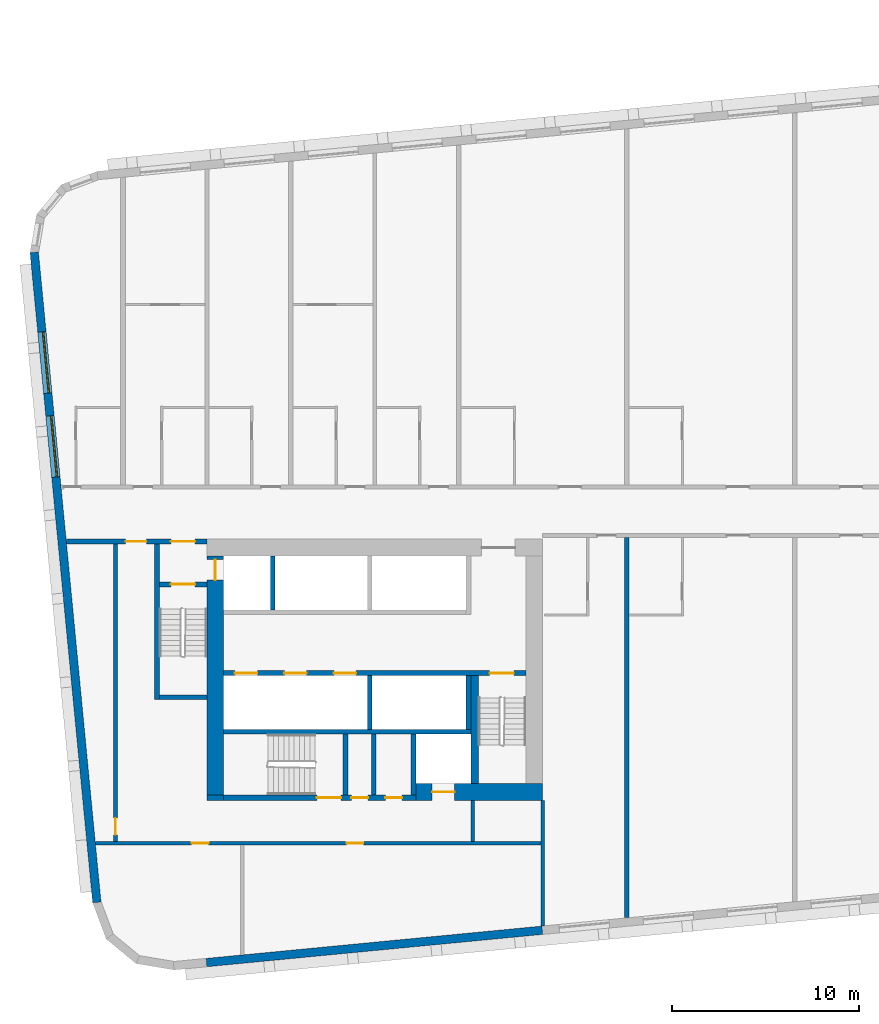
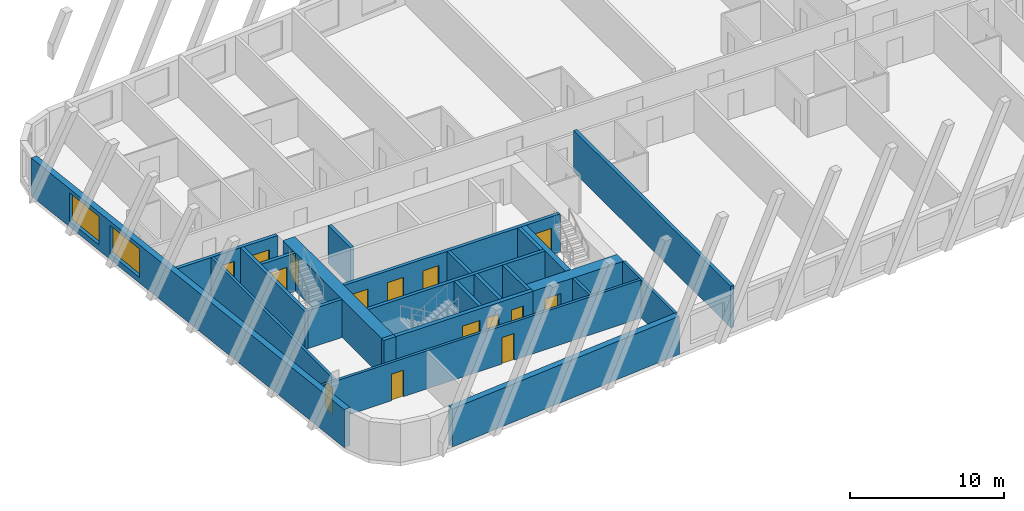
# One storey, part 2 of 13: 24 walls, 15 doors, 2 windows, 17 openings.
"""IFC4 building model written with IfcOpenShell, lengths in metres."""

from ifc_helpers import new_model, si_unit, direction, frame, frame_2d, origin, place, context, subcontext, project, spatial, rectangle, extrude, material, layer, layer_set, type_object, element, fill, save


model = new_model("IFC4")

# Units and contexts
model_context = context("Model", 3, precision=1e-05, world=origin(), true_north=direction((0.0, 1.0)))
body_context = subcontext(model_context, "Body", "Model", "MODEL_VIEW")
ifc_project = project(units=[si_unit("LENGTHUNIT", "METRE"), si_unit("AREAUNIT", "SQUARE_METRE"), si_unit("VOLUMEUNIT", "CUBIC_METRE"), si_unit("PLANEANGLEUNIT", "RADIAN"), si_unit("MASSUNIT", "GRAM", prefix="KILO")], contexts=[model_context])

# Site, building, storey
site_placement = place(None, origin())
site = spatial("IfcSite", under=ifc_project, at=site_placement, CompositionType="ELEMENT")
building_placement = place(site_placement, origin())
building = spatial("IfcBuilding", under=site, at=building_placement, Name="Kajstack Hotel Tower", CompositionType="ELEMENT")
storey_placement = place(building_placement, frame((0.0, 0.0, 120.699951171875)))
storey = spatial("IfcBuildingStorey", under=building, at=storey_placement, Name="L26", CompositionType="ELEMENT", Elevation=120.699951171875)

# Wall, opening, door
ifc_material_1 = material(Name="Concrete C60/75", Category="concrete")
ifc_layer_1 = layer(ifc_material_1, 0.89990234375)
ifc_layer_set_1 = layer_set([ifc_layer_1], Name="Core wall 900")
wall_type_1 = type_object("IfcWallType", Name="Core wall 900", PredefinedType="SHEAR", material=ifc_layer_set_1)
wall_1_placement = place(storey_placement, frame((-20.300048828125, -15.050048828125, 0.0), z_axis=(0.0, 0.0, 1.0), x_axis=(1.0, 0.0, 0.0)))
wall_1 = element("IfcWall", 1, at=wall_1_placement, inside=storey, type_object=wall_type_1, Name="Core wall W RS", PredefinedType="SHEAR", context=body_context, shape_type="SweptSolid", body=[
    extrude(rectangle(XDim=6.800048828125, YDim=0.89990234375, at=frame_2d((3.39990234375, 0.0))), origin(), (0.0, 0.0, 1.0), 3.02001953125),
])
opening_1_placement = place(wall_1_placement, frame((0.875, 0.0, 0.0)))
opening_1 = element("IfcOpeningElement", 2, at=opening_1_placement, cuts=wall_1, Name="Opening LD-SV1", PredefinedType="OPENING", context=body_context, shape_type="SweptSolid", body=[
    extrude(rectangle(XDim=1.199951171875, YDim=2.10009765625, at=frame_2d((0.60009765625, 1.050048828125))), frame((0.0, 0.4599609375, 0.0), z_axis=(0.0, -1.0, 0.0), x_axis=(1.0, 0.0, 0.0)), (0.0, 0.0, 1.0), 0.919921875),
])
ifc_material_2 = material(Name="Stainless steel", Category="steel")
door_type_1 = type_object("IfcDoorType", Name="Lift landing door 1200", OperationType="SLIDING_TO_LEFT", PredefinedType="DOOR", material=ifc_material_2)
door_1_placement = place(opening_1_placement, origin())
door_1 = element("IfcDoor", 3, at=door_1_placement, inside=storey, type_object=door_type_1, Name="Landing door SV1", OperationType="SLIDING_TO_LEFT", OverallHeight=2.10009765625, OverallWidth=1.199951171875, PredefinedType="DOOR", context=body_context, shape_type="SweptSolid", body=[
    extrude(rectangle(XDim=1.199951171875, YDim=2.10009765625, at=frame_2d((0.60009765625, 1.050048828125))), frame((0.0, 0.02490234375, 0.0), z_axis=(0.0, -1.0, 0.0), x_axis=(1.0, 0.0, 0.0)), (0.0, 0.0, 1.0), 0.050048828125),
])
fill(opening_1, door_1)

# Wall
wall_2_placement = place(storey_placement, frame((-31.5, -15.35009765625, 0.0), z_axis=(0.0, 0.0, 1.0), x_axis=(1.0, 0.0, 0.0)))
element("IfcWall", 4, at=wall_2_placement, inside=storey, type_object=wall_type_1, Name="Core wall W RSW", PredefinedType="SHEAR", context=body_context, shape_type="SweptSolid", body=[
    extrude(rectangle(XDim=0.89990234375, YDim=0.300048828125, at=frame_2d((0.449951171875, 0.0))), origin(), (0.0, 0.0, 1.0), 3.02001953125),
])

# Wall, opening, door
wall_3_placement = place(storey_placement, frame((-31.050048828125, -15.199951171875, 0.0), z_axis=(0.0, 0.0, 1.0), x_axis=(0.0, 1.0, 0.0)))
wall_3 = element("IfcWall", 5, at=wall_3_placement, inside=storey, type_object=wall_type_1, Name="Core wall W RW", PredefinedType="SHEAR", context=body_context, shape_type="SweptSolid", body=[
    extrude(rectangle(XDim=12.800048828125, YDim=0.89990234375, at=frame_2d((6.39990234375, 0.0))), origin(), (0.0, 0.0, 1.0), 3.02001953125),
])
opening_2_placement = place(wall_3_placement, frame((11.5, 0.0, 0.0)))
opening_2 = element("IfcOpeningElement", 6, at=opening_2_placement, cuts=wall_3, Name="Opening LD-FF1", PredefinedType="OPENING", context=body_context, shape_type="SweptSolid", body=[
    extrude(rectangle(XDim=1.10009765625, YDim=2.10009765625, at=frame_2d((0.550048828125, 1.050048828125))), frame((0.0, 0.4599609375, 0.0), z_axis=(0.0, -1.0, 0.0), x_axis=(1.0, 0.0, 0.0)), (0.0, 0.0, 1.0), 0.919921875),
])
door_type_2 = type_object("IfcDoorType", Name="Fire-fighting lift landing door 1100", OperationType="SLIDING_TO_LEFT", PredefinedType="DOOR", material=ifc_material_2)
door_2_placement = place(opening_2_placement, origin())
door_2 = element("IfcDoor", 7, at=door_2_placement, inside=storey, type_object=door_type_2, Name="Landing door FF1", OperationType="SLIDING_TO_RIGHT", OverallHeight=2.10009765625, OverallWidth=1.10009765625, PredefinedType="DOOR", context=body_context, shape_type="SweptSolid", body=[
    extrude(rectangle(XDim=1.10009765625, YDim=2.10009765625, at=frame_2d((0.550048828125, 1.050048828125))), frame((0.0, 0.02490234375, 0.0), z_axis=(0.0, -1.0, 0.0), x_axis=(1.0, 0.0, 0.0)), (0.0, 0.0, 1.0), 0.050048828125),
])
fill(opening_2, door_2)

# Walls
ifc_material_3 = material(Name="Twin-frame gypsum board on steel studs, mineral wool", Category="steel")
ifc_layer_2 = layer(ifc_material_3, 0.199951171875)
ifc_layer_set_2 = layer_set([ifc_layer_2], Name="Demising wall 200")
wall_type_2 = type_object("IfcWallType", Name="Demising wall 200", PredefinedType="PARTITIONING", material=ifc_layer_set_2)
wall_4_placement = place(storey_placement, frame((-13.5, -22.23193359375, 0.0), z_axis=(0.0, 0.0, 1.0), x_axis=(0.0, 1.0, 0.0)))
element("IfcWall", 8, at=wall_4_placement, inside=storey, type_object=wall_type_2, Name="G-wall-L26-002", PredefinedType="PARTITIONING", context=body_context, shape_type="SweptSolid", body=[
    extrude(rectangle(XDim=6.73193359375, YDim=0.199951171875, at=frame_2d((3.365966796875, 0.0))), origin(), (0.0, 0.0, 1.0), 3.02001953125),
])
ifc_material_4 = material(Name="Concrete C40/50", Category="concrete")
ifc_layer_3 = layer(ifc_material_4, 0.449951171875)
ifc_layer_set_3 = layer_set([ifc_layer_3], Name="EW-CORE")
wall_type_3 = type_object("IfcWallType", Name="EW-CORE", PredefinedType="SOLIDWALL", material=ifc_layer_set_3)
wall_5_placement = place(storey_placement, frame((-31.521484375, -24.193603515625, 0.0), z_axis=(0.0, 0.0, 1.0), x_axis=(0.995396454615, 0.095843091245, 0.0)))
element("IfcWall", 9, at=wall_5_placement, inside=storey, type_object=wall_type_3, Name="E-wall-L26-04-01", PredefinedType="SOLIDWALL", context=body_context, shape_type="SweptSolid", body=[
    extrude(rectangle(XDim=18.083251953125, YDim=0.449951171875, at=frame_2d((9.04150390625, 0.0))), origin(), (0.0, 0.0, 1.0), 3.02001953125),
])

# Wall, openings, windows
ifc_material_5 = material(Name="Terracotta-faced brick masonry", Category="masonry")
ifc_layer_4 = layer(ifc_material_5, 0.449951171875)
ifc_layer_set_4 = layer_set([ifc_layer_4], Name="EW-TERRA")
wall_type_4 = type_object("IfcWallType", Name="EW-TERRA", PredefinedType="SOLIDWALL", material=ifc_layer_set_4)
wall_6_placement = place(storey_placement, frame((-40.7529296875, 13.87158203125, 0.0), z_axis=(0.0, 0.0, 1.0), x_axis=(0.095843327381, -0.995396431878, 0.0)))
wall_6 = element("IfcWall", 10, at=wall_6_placement, inside=storey, type_object=wall_type_4, Name="E-wall-L26-00-00", PredefinedType="SOLIDWALL", context=body_context, shape_type="SweptSolid", body=[
    extrude(rectangle(XDim=34.999755859375, YDim=0.449951171875, at=frame_2d((17.5, 0.0))), origin(), (0.0, 0.0, 1.0), 3.02001953125),
])
opening_3_placement = place(wall_6_placement, frame((4.27734375, 0.0, 0.449951171875)))
opening_3 = element("IfcOpeningElement", 11, at=opening_3_placement, cuts=wall_6, Name="Opening W2", PredefinedType="OPENING", context=body_context, shape_type="SweptSolid", body=[
    extrude(rectangle(XDim=3.300048828125, YDim=2.25, at=frame_2d((1.64990234375, 1.125))), frame((0.0, 0.23486328125, 0.0), z_axis=(0.0, -1.0, 0.0), x_axis=(1.0, 0.0, 0.0)), (0.0, 0.0, 1.0), 0.469970703125),
])
opening_4_placement = place(wall_6_placement, frame((8.798095703125, 0.0, 0.449951171875)))
opening_4 = element("IfcOpeningElement", 12, at=opening_4_placement, cuts=wall_6, Name="Opening W2", PredefinedType="OPENING", context=body_context, shape_type="SweptSolid", body=[
    extrude(rectangle(XDim=3.300048828125, YDim=2.25, at=frame_2d((1.64990234375, 1.125))), frame((0.0, 0.23486328125, 0.0), z_axis=(0.0, -1.0, 0.0), x_axis=(1.0, 0.0, 0.0)), (0.0, 0.0, 1.0), 0.469970703125),
])
ifc_material_6 = material(Name="Timber-aluminium window, triple glazed", Category="wood")
window_type = type_object("IfcWindowType", Name="WG2", PartitioningType="SINGLE_PANEL", PredefinedType="WINDOW", material=ifc_material_6)
window_1_placement = place(opening_3_placement, origin())
window_1 = element("IfcWindow", 13, at=window_1_placement, inside=storey, type_object=window_type, Name="Window W2 L26-00", OverallHeight=2.25, OverallWidth=3.300048828125, PartitioningType="SINGLE_PANEL", PredefinedType="WINDOW", context=body_context, shape_type="SweptSolid", body=[
    extrude(rectangle(XDim=3.300048828125, YDim=2.25, at=frame_2d((1.64990234375, 1.125))), frame((0.0, 0.090087890625, 0.0), z_axis=(0.0, -1.0, 0.0), x_axis=(1.0, 0.0, 0.0)), (0.0, 0.0, 1.0), 0.06005859375),
])
fill(opening_3, window_1)
window_2_placement = place(opening_4_placement, origin())
window_2 = element("IfcWindow", 14, at=window_2_placement, inside=storey, type_object=window_type, Name="Window W2 L26-00", OverallHeight=2.25, OverallWidth=3.300048828125, PartitioningType="SINGLE_PANEL", PredefinedType="WINDOW", context=body_context, shape_type="SweptSolid", body=[
    extrude(rectangle(XDim=3.300048828125, YDim=2.25, at=frame_2d((1.64990234375, 1.125))), frame((0.0, 0.090087890625, 0.0), z_axis=(0.0, -1.0, 0.0), x_axis=(1.0, 0.0, 0.0)), (0.0, 0.0, 1.0), 0.06005859375),
])
fill(opening_4, window_2)

# Walls
ifc_material_7 = material(Name="Concrete C50/60", Category="concrete")
ifc_layer_5 = layer(ifc_material_7, 0.300048828125)
ifc_layer_set_5 = layer_set([ifc_layer_5], Name="Hoistway divider wall 300")
wall_type_5 = type_object("IfcWallType", Name="Hoistway divider wall 300", PredefinedType="SHEAR", material=ifc_layer_set_5)
wall_7_placement = place(storey_placement, frame((-22.77490234375, -11.699951171875, 0.0), z_axis=(0.0, 0.0, 1.0), x_axis=(0.0, 1.0, 0.0)))
element("IfcWall", 15, at=wall_7_placement, inside=storey, type_object=wall_type_5, Name="Core wall W BP2", PredefinedType="SHEAR", context=body_context, shape_type="SweptSolid", body=[
    extrude(rectangle(XDim=2.89990234375, YDim=0.25, at=frame_2d((1.449951171875, 0.0))), origin(), (0.0, 0.0, 1.0), 3.02001953125),
])
ifc_material_8 = material(Name="Concrete C55/67", Category="concrete")
ifc_layer_6 = layer(ifc_material_8, 0.25)
ifc_layer_set_6 = layer_set([ifc_layer_6], Name="RC cross wall 250 C55/67")
wall_type_6 = type_object("IfcWallType", Name="RC cross wall 250 C55/67", PredefinedType="SHEAR", material=ifc_layer_set_6)
wall_8_placement = place(storey_placement, frame((-9.0, -21.777099609375, 0.0), z_axis=(0.0, 0.0, 1.0), x_axis=(0.0, 1.0, 0.0)))
element("IfcWall", 16, at=wall_8_placement, inside=storey, type_object=wall_type_6, Name="S-wall-L26-04", PredefinedType="SHEAR", context=body_context, shape_type="SweptSolid", body=[
    extrude(rectangle(XDim=20.377197265625, YDim=0.25, at=frame_2d((10.1884765625, 0.0))), origin(), (0.0, 0.0, 1.0), 3.300048828125),
])
ifc_material_9 = material(Name="Concrete block masonry", Category="masonry")
ifc_layer_7 = layer(ifc_material_9, 0.25)
ifc_layer_set_7 = layer_set([ifc_layer_7], Name="Riser partition 250")
wall_type_7 = type_object("IfcWallType", Name="Riser partition 250", PredefinedType="PARTITIONING", material=ifc_layer_set_7)
wall_9_placement = place(storey_placement, frame((-22.550048828125, -15.199951171875, 0.0), z_axis=(0.0, 0.0, 1.0), x_axis=(0.0, 1.0, 0.0)))
element("IfcWall", 17, at=wall_9_placement, inside=storey, type_object=wall_type_7, Name="Partition W SZ0", PredefinedType="PARTITIONING", context=body_context, shape_type="SweptSolid", body=[
    extrude(rectangle(XDim=3.25, YDim=0.25, at=frame_2d((1.625, 0.0))), origin(), (0.0, 0.0, 1.0), 3.02001953125),
])

# Wall, openings, doors
ifc_material_10 = material(Name="Gypsum board on steel studs, mineral wool", Category="steel")
ifc_layer_8 = layer(ifc_material_10, 0.199951171875)
ifc_layer_set_8 = layer_set([ifc_layer_8], Name="Service partition 200")
wall_type_8 = type_object("IfcWallType", Name="Service partition 200", PredefinedType="PARTITIONING", material=ifc_layer_set_8)
wall_10_placement = place(storey_placement, frame((-39.034912109375, -1.625, 0.0), z_axis=(0.0, 0.0, 1.0), x_axis=(1.0, 0.0, 0.0)))
wall_10 = element("IfcWall", 18, at=wall_10_placement, inside=storey, type_object=wall_type_8, Name="Partition W SN", PredefinedType="PARTITIONING", context=body_context, shape_type="SweptSolid", body=[
    extrude(rectangle(XDim=7.534912109375, YDim=0.25, at=frame_2d((3.767578125, 0.0))), origin(), (0.0, 0.0, 1.0), 3.02001953125),
])
opening_5_placement = place(wall_10_placement, frame((5.60986328125, 0.0, 0.0)))
opening_5 = element("IfcOpeningElement", 19, at=opening_5_placement, cuts=wall_10, Name="Opening 26W07", PredefinedType="OPENING", context=body_context, shape_type="SweptSolid", body=[
    extrude(rectangle(XDim=1.300048828125, YDim=2.10009765625, at=frame_2d((0.64990234375, 1.050048828125))), frame((0.0, 0.135009765625, 0.0), z_axis=(0.0, -1.0, 0.0), x_axis=(1.0, 0.0, 0.0)), (0.0, 0.0, 1.0), 0.27001953125),
])
opening_6_placement = place(wall_10_placement, frame((3.184814453125, 0.0, 0.0)))
opening_6 = element("IfcOpeningElement", 20, at=opening_6_placement, cuts=wall_10, Name="Opening 26W09", PredefinedType="OPENING", context=body_context, shape_type="SweptSolid", body=[
    extrude(rectangle(XDim=1.10009765625, YDim=2.10009765625, at=frame_2d((0.550048828125, 1.050048828125))), frame((0.0, 0.135009765625, 0.0), z_axis=(0.0, -1.0, 0.0), x_axis=(1.0, 0.0, 0.0)), (0.0, 0.0, 1.0), 0.27001953125),
])
ifc_material_11 = material(Name="Steel leaf, fire-rated", Category="steel")
door_type_3 = type_object("IfcDoorType", Name="Fire lobby door 1300", OperationType="SINGLE_SWING_LEFT", PredefinedType="DOOR", material=ifc_material_11)
door_3_placement = place(opening_5_placement, origin())
door_3 = element("IfcDoor", 21, at=door_3_placement, inside=storey, type_object=door_type_3, Name="Door 26W07", OperationType="SINGLE_SWING_RIGHT", OverallHeight=2.10009765625, OverallWidth=1.300048828125, PredefinedType="DOOR", context=body_context, shape_type="SweptSolid", body=[
    extrude(rectangle(XDim=1.300048828125, YDim=2.10009765625, at=frame_2d((0.64990234375, 1.050048828125))), frame((0.0, 0.02490234375, 0.0), z_axis=(0.0, -1.0, 0.0), x_axis=(1.0, 0.0, 0.0)), (0.0, 0.0, 1.0), 0.050048828125),
])
fill(opening_5, door_3)
ifc_material_12 = material(Name="Timber leaf, fire-rated", Category="wood")
door_type_4 = type_object("IfcDoorType", Name="Service corridor door 1100", OperationType="SINGLE_SWING_LEFT", PredefinedType="DOOR", material=ifc_material_12)
door_4_placement = place(opening_6_placement, origin())
door_4 = element("IfcDoor", 22, at=door_4_placement, inside=storey, type_object=door_type_4, Name="Door 26W09", OperationType="SINGLE_SWING_RIGHT", OverallHeight=2.10009765625, OverallWidth=1.10009765625, PredefinedType="DOOR", context=body_context, shape_type="SweptSolid", body=[
    extrude(rectangle(XDim=1.10009765625, YDim=2.10009765625, at=frame_2d((0.550048828125, 1.050048828125))), frame((0.0, 0.02490234375, 0.0), z_axis=(0.0, -1.0, 0.0), x_axis=(1.0, 0.0, 0.0)), (0.0, 0.0, 1.0), 0.050048828125),
])
fill(opening_6, door_4)

# Wall
wall_11_placement = place(storey_placement, frame((-17.25, -17.699951171875, 0.0), z_axis=(0.0, 0.0, 1.0), x_axis=(0.0, 1.0, 0.0)))
element("IfcWall", 23, at=wall_11_placement, inside=storey, type_object=wall_type_8, Name="Partition W SCE", PredefinedType="PARTITIONING", context=body_context, shape_type="SweptSolid", body=[
    extrude(rectangle(XDim=2.199951171875, YDim=0.199951171875, at=frame_2d((1.10009765625, 0.0))), origin(), (0.0, 0.0, 1.0), 3.02001953125),
])

# Wall, opening, door
wall_12_placement = place(storey_placement, frame((-36.39990234375, -17.699951171875, 0.0), z_axis=(0.0, 0.0, 1.0), x_axis=(0.0, 1.0, 0.0)))
wall_12 = element("IfcWall", 24, at=wall_12_placement, inside=storey, type_object=wall_type_8, Name="Partition W WRE", PredefinedType="PARTITIONING", context=body_context, shape_type="SweptSolid", body=[
    extrude(rectangle(XDim=15.949951171875, YDim=0.199951171875, at=frame_2d((7.97509765625, 0.0))), origin(), (0.0, 0.0, 1.0), 3.02001953125),
])
opening_7_placement = place(wall_12_placement, frame((0.35009765625, 0.0, 0.0)))
opening_7 = element("IfcOpeningElement", 25, at=opening_7_placement, cuts=wall_12, Name="Opening 26W16", PredefinedType="OPENING", context=body_context, shape_type="SweptSolid", body=[
    extrude(rectangle(XDim=0.89990234375, YDim=2.10009765625, at=frame_2d((0.449951171875, 1.050048828125))), frame((0.0, 0.10986328125, 0.0), z_axis=(0.0, -1.0, 0.0), x_axis=(1.0, 0.0, 0.0)), (0.0, 0.0, 1.0), 0.219970703125),
])
door_type_5 = type_object("IfcDoorType", Name="Service door 900", OperationType="SINGLE_SWING_LEFT", PredefinedType="DOOR", material=ifc_material_12)
door_5_placement = place(opening_7_placement, origin())
door_5 = element("IfcDoor", 26, at=door_5_placement, inside=storey, type_object=door_type_5, Name="Door 26W16", OperationType="SINGLE_SWING_LEFT", OverallHeight=2.10009765625, OverallWidth=0.89990234375, PredefinedType="DOOR", context=body_context, shape_type="SweptSolid", body=[
    extrude(rectangle(XDim=0.89990234375, YDim=2.10009765625, at=frame_2d((0.449951171875, 1.050048828125))), frame((0.0, 0.02490234375, 0.0), z_axis=(0.0, -1.0, 0.0), x_axis=(1.0, 0.0, 0.0)), (0.0, 0.0, 1.0), 0.050048828125),
])
fill(opening_7, door_5)

# Wall, openings, doors
wall_13_placement = place(storey_placement, frame((-37.477294921875, -17.800048828125, 0.0), z_axis=(0.0, 0.0, 1.0), x_axis=(1.0, 0.0, 0.0)))
wall_13 = element("IfcWall", 27, at=wall_13_placement, inside=storey, type_object=wall_type_8, Name="Partition W SLN", PredefinedType="PARTITIONING", context=body_context, shape_type="SweptSolid", body=[
    extrude(rectangle(XDim=23.877197265625, YDim=0.199951171875, at=frame_2d((11.9384765625, 0.0))), origin(), (0.0, 0.0, 1.0), 3.02001953125),
])
opening_8_placement = place(wall_13_placement, frame((5.164794921875, 0.0, 0.0)))
opening_8 = element("IfcOpeningElement", 28, at=opening_8_placement, cuts=wall_13, Name="Opening 26W14", PredefinedType="OPENING", context=body_context, shape_type="SweptSolid", body=[
    extrude(rectangle(XDim=0.89990234375, YDim=2.10009765625, at=frame_2d((0.449951171875, 1.050048828125))), frame((0.0, 0.10986328125, 0.0), z_axis=(0.0, -1.0, 0.0), x_axis=(1.0, 0.0, 0.0)), (0.0, 0.0, 1.0), 0.219970703125),
])
opening_9_placement = place(wall_13_placement, frame((13.46484375, 0.0, 0.0)))
opening_9 = element("IfcOpeningElement", 29, at=opening_9_placement, cuts=wall_13, Name="Opening 26W15", PredefinedType="OPENING", context=body_context, shape_type="SweptSolid", body=[
    extrude(rectangle(XDim=0.89990234375, YDim=2.10009765625, at=frame_2d((0.449951171875, 1.050048828125))), frame((0.0, 0.10986328125, 0.0), z_axis=(0.0, -1.0, 0.0), x_axis=(1.0, 0.0, 0.0)), (0.0, 0.0, 1.0), 0.219970703125),
])
door_6_placement = place(opening_8_placement, origin())
door_6 = element("IfcDoor", 30, at=door_6_placement, inside=storey, type_object=door_type_5, Name="Door 26W14", OperationType="SINGLE_SWING_RIGHT", OverallHeight=2.10009765625, OverallWidth=0.89990234375, PredefinedType="DOOR", context=body_context, shape_type="SweptSolid", body=[
    extrude(rectangle(XDim=0.89990234375, YDim=2.10009765625, at=frame_2d((0.449951171875, 1.050048828125))), frame((0.0, 0.02490234375, 0.0), z_axis=(0.0, -1.0, 0.0), x_axis=(1.0, 0.0, 0.0)), (0.0, 0.0, 1.0), 0.050048828125),
])
fill(opening_8, door_6)
door_7_placement = place(opening_9_placement, origin())
door_7 = element("IfcDoor", 31, at=door_7_placement, inside=storey, type_object=door_type_5, Name="Door 26W15", OperationType="SINGLE_SWING_RIGHT", OverallHeight=2.10009765625, OverallWidth=0.89990234375, PredefinedType="DOOR", context=body_context, shape_type="SweptSolid", body=[
    extrude(rectangle(XDim=0.89990234375, YDim=2.10009765625, at=frame_2d((0.449951171875, 1.050048828125))), frame((0.0, 0.02490234375, 0.0), z_axis=(0.0, -1.0, 0.0), x_axis=(1.0, 0.0, 0.0)), (0.0, 0.0, 1.0), 0.050048828125),
])
fill(opening_9, door_7)

ifc_layer_9 = layer(ifc_material_7, 0.25)
ifc_layer_set_9 = layer_set([ifc_layer_9], Name="Shaft wall 250")
wall_type_9 = type_object("IfcWallType", Name="Shaft wall 250", PredefinedType="SHEAR", material=ifc_layer_set_9)
wall_14_placement = place(storey_placement, frame((-30.60009765625, -15.35009765625, 0.0), z_axis=(0.0, 0.0, 1.0), x_axis=(1.0, 0.0, 0.0)))
wall_14 = element("IfcWall", 32, at=wall_14_placement, inside=storey, type_object=wall_type_9, Name="Core wall W RSS", PredefinedType="SHEAR", context=body_context, shape_type="SweptSolid", body=[
    extrude(rectangle(XDim=10.300048828125, YDim=0.300048828125, at=frame_2d((5.14990234375, 0.0))), origin(), (0.0, 0.0, 1.0), 3.02001953125),
])
opening_10_placement = place(wall_14_placement, frame((5.0, 0.0, 0.0)))
opening_10 = element("IfcOpeningElement", 33, at=opening_10_placement, cuts=wall_14, Name="Opening 26W11", PredefinedType="OPENING", context=body_context, shape_type="SweptSolid", body=[
    extrude(rectangle(XDim=1.300048828125, YDim=2.10009765625, at=frame_2d((0.64990234375, 1.050048828125))), frame((0.0, 0.159912109375, 0.0), z_axis=(0.0, -1.0, 0.0), x_axis=(1.0, 0.0, 0.0)), (0.0, 0.0, 1.0), 0.320068359375),
])
opening_11_placement = place(wall_14_placement, frame((6.83740234375, 0.0, 0.0)))
opening_11 = element("IfcOpeningElement", 34, at=opening_11_placement, cuts=wall_14, Name="Opening 26W12", PredefinedType="OPENING", context=body_context, shape_type="SweptSolid", body=[
    extrude(rectangle(XDim=0.89990234375, YDim=2.10009765625, at=frame_2d((0.449951171875, 1.050048828125))), frame((0.0, 0.159912109375, 0.0), z_axis=(0.0, -1.0, 0.0), x_axis=(1.0, 0.0, 0.0)), (0.0, 0.0, 1.0), 0.320068359375),
])
opening_12_placement = place(wall_14_placement, frame((8.66259765625, 0.0, 0.0)))
opening_12 = element("IfcOpeningElement", 35, at=opening_12_placement, cuts=wall_14, Name="Opening 26W13", PredefinedType="OPENING", context=body_context, shape_type="SweptSolid", body=[
    extrude(rectangle(XDim=0.89990234375, YDim=2.10009765625, at=frame_2d((0.449951171875, 1.050048828125))), frame((0.0, 0.159912109375, 0.0), z_axis=(0.0, -1.0, 0.0), x_axis=(1.0, 0.0, 0.0)), (0.0, 0.0, 1.0), 0.320068359375),
])
door_type_6 = type_object("IfcDoorType", Name="Riser door 900", OperationType="SINGLE_SWING_LEFT", PredefinedType="DOOR", material=ifc_material_11)
door_8_placement = place(opening_12_placement, origin())
door_8 = element("IfcDoor", 36, at=door_8_placement, inside=storey, type_object=door_type_6, Name="Door 26W13", OperationType="SINGLE_SWING_LEFT", OverallHeight=2.10009765625, OverallWidth=0.89990234375, PredefinedType="DOOR", context=body_context, shape_type="SweptSolid", body=[
    extrude(rectangle(XDim=0.89990234375, YDim=2.10009765625, at=frame_2d((0.449951171875, 1.050048828125))), frame((0.0, 0.02490234375, 0.0), z_axis=(0.0, -1.0, 0.0), x_axis=(1.0, 0.0, 0.0)), (0.0, 0.0, 1.0), 0.050048828125),
])
fill(opening_12, door_8)
door_9_placement = place(opening_11_placement, origin())
door_9 = element("IfcDoor", 37, at=door_9_placement, inside=storey, type_object=door_type_5, Name="Door 26W12", OperationType="SINGLE_SWING_LEFT", OverallHeight=2.10009765625, OverallWidth=0.89990234375, PredefinedType="DOOR", context=body_context, shape_type="SweptSolid", body=[
    extrude(rectangle(XDim=0.89990234375, YDim=2.10009765625, at=frame_2d((0.449951171875, 1.050048828125))), frame((0.0, 0.02490234375, 0.0), z_axis=(0.0, -1.0, 0.0), x_axis=(1.0, 0.0, 0.0)), (0.0, 0.0, 1.0), 0.050048828125),
])
fill(opening_11, door_9)
door_type_7 = type_object("IfcDoorType", Name="Stair door 1300", OperationType="SINGLE_SWING_LEFT", PredefinedType="DOOR", material=ifc_material_11)
door_10_placement = place(opening_10_placement, origin())
door_10 = element("IfcDoor", 38, at=door_10_placement, inside=storey, type_object=door_type_7, Name="Door 26W11", OperationType="SINGLE_SWING_RIGHT", OverallHeight=2.10009765625, OverallWidth=1.300048828125, PredefinedType="DOOR", context=body_context, shape_type="SweptSolid", body=[
    extrude(rectangle(XDim=1.300048828125, YDim=2.10009765625, at=frame_2d((0.64990234375, 1.050048828125))), frame((0.0, 0.02490234375, 0.0), z_axis=(0.0, -1.0, 0.0), x_axis=(1.0, 0.0, 0.0)), (0.0, 0.0, 1.0), 0.050048828125),
])
fill(opening_10, door_10)

# Wall
wall_15_placement = place(storey_placement, frame((-27.97509765625, -5.300048828125, 0.0), z_axis=(0.0, 0.0, 1.0), x_axis=(0.0, 1.0, 0.0)))
element("IfcWall", 39, at=wall_15_placement, inside=storey, type_object=wall_type_9, Name="Core wall W AP0", PredefinedType="SHEAR", context=body_context, shape_type="SweptSolid", body=[
    extrude(rectangle(XDim=2.900146484375, YDim=0.25, at=frame_2d((1.4501953125, 0.0))), origin(), (0.0, 0.0, 1.0), 3.02001953125),
])

# Wall, openings, doors
wall_16_placement = place(storey_placement, frame((-30.60009765625, -8.675048828125, 0.0), z_axis=(0.0, 0.0, 1.0), x_axis=(1.0, 0.0, 0.0)))
wall_16 = element("IfcWall", 40, at=wall_16_placement, inside=storey, type_object=wall_type_9, Name="Core wall W FB", PredefinedType="SHEAR", context=body_context, shape_type="SweptSolid", body=[
    extrude(rectangle(XDim=16.2001953125, YDim=0.25, at=frame_2d((8.10009765625, 0.0))), origin(), (0.0, 0.0, 1.0), 3.02001953125),
])
opening_13_placement = place(wall_16_placement, frame((0.60009765625, 0.0, 0.0)))
opening_13 = element("IfcOpeningElement", 41, at=opening_13_placement, cuts=wall_16, Name="Opening LD-LR1", PredefinedType="OPENING", context=body_context, shape_type="SweptSolid", body=[
    extrude(rectangle(XDim=1.199951171875, YDim=2.10009765625, at=frame_2d((0.60009765625, 1.050048828125))), frame((0.0, 0.135009765625, 0.0), z_axis=(0.0, -1.0, 0.0), x_axis=(1.0, 0.0, 0.0)), (0.0, 0.0, 1.0), 0.27001953125),
])
opening_14_placement = place(wall_16_placement, frame((3.25, 0.0, 0.0)))
opening_14 = element("IfcOpeningElement", 42, at=opening_14_placement, cuts=wall_16, Name="Opening LD-LR2", PredefinedType="OPENING", context=body_context, shape_type="SweptSolid", body=[
    extrude(rectangle(XDim=1.199951171875, YDim=2.10009765625, at=frame_2d((0.60009765625, 1.050048828125))), frame((0.0, 0.135009765625, 0.0), z_axis=(0.0, -1.0, 0.0), x_axis=(1.0, 0.0, 0.0)), (0.0, 0.0, 1.0), 0.27001953125),
])
opening_15_placement = place(wall_16_placement, frame((5.89990234375, 0.0, 0.0)))
opening_15 = element("IfcOpeningElement", 43, at=opening_15_placement, cuts=wall_16, Name="Opening LD-LR3", PredefinedType="OPENING", context=body_context, shape_type="SweptSolid", body=[
    extrude(rectangle(XDim=1.199951171875, YDim=2.10009765625, at=frame_2d((0.60009765625, 1.050048828125))), frame((0.0, 0.135009765625, 0.0), z_axis=(0.0, -1.0, 0.0), x_axis=(1.0, 0.0, 0.0)), (0.0, 0.0, 1.0), 0.27001953125),
])
opening_16_placement = place(wall_16_placement, frame((14.25, 0.0, 0.0)))
opening_16 = element("IfcOpeningElement", 44, at=opening_16_placement, cuts=wall_16, Name="Opening 26W10", PredefinedType="OPENING", context=body_context, shape_type="SweptSolid", body=[
    extrude(rectangle(XDim=1.300048828125, YDim=2.10009765625, at=frame_2d((0.64990234375, 1.050048828125))), frame((0.0, 0.135009765625, 0.0), z_axis=(0.0, -1.0, 0.0), x_axis=(1.0, 0.0, 0.0)), (0.0, 0.0, 1.0), 0.27001953125),
])
door_11_placement = place(opening_13_placement, origin())
door_11 = element("IfcDoor", 45, at=door_11_placement, inside=storey, type_object=door_type_1, Name="Landing door LR1", OperationType="SLIDING_TO_LEFT", OverallHeight=2.10009765625, OverallWidth=1.199951171875, PredefinedType="DOOR", context=body_context, shape_type="SweptSolid", body=[
    extrude(rectangle(XDim=1.199951171875, YDim=2.10009765625, at=frame_2d((0.60009765625, 1.050048828125))), frame((0.0, 0.02490234375, 0.0), z_axis=(0.0, -1.0, 0.0), x_axis=(1.0, 0.0, 0.0)), (0.0, 0.0, 1.0), 0.050048828125),
])
fill(opening_13, door_11)
door_12_placement = place(opening_14_placement, origin())
door_12 = element("IfcDoor", 46, at=door_12_placement, inside=storey, type_object=door_type_1, Name="Landing door LR2", OperationType="SLIDING_TO_RIGHT", OverallHeight=2.10009765625, OverallWidth=1.199951171875, PredefinedType="DOOR", context=body_context, shape_type="SweptSolid", body=[
    extrude(rectangle(XDim=1.199951171875, YDim=2.10009765625, at=frame_2d((0.60009765625, 1.050048828125))), frame((0.0, 0.02490234375, 0.0), z_axis=(0.0, -1.0, 0.0), x_axis=(1.0, 0.0, 0.0)), (0.0, 0.0, 1.0), 0.050048828125),
])
fill(opening_14, door_12)
door_13_placement = place(opening_15_placement, origin())
door_13 = element("IfcDoor", 47, at=door_13_placement, inside=storey, type_object=door_type_1, Name="Landing door LR3", OperationType="SLIDING_TO_RIGHT", OverallHeight=2.10009765625, OverallWidth=1.199951171875, PredefinedType="DOOR", context=body_context, shape_type="SweptSolid", body=[
    extrude(rectangle(XDim=1.199951171875, YDim=2.10009765625, at=frame_2d((0.60009765625, 1.050048828125))), frame((0.0, 0.02490234375, 0.0), z_axis=(0.0, -1.0, 0.0), x_axis=(1.0, 0.0, 0.0)), (0.0, 0.0, 1.0), 0.050048828125),
])
fill(opening_15, door_13)
door_14_placement = place(opening_16_placement, origin())
door_14 = element("IfcDoor", 48, at=door_14_placement, inside=storey, type_object=door_type_7, Name="Door 26W10", OperationType="SINGLE_SWING_RIGHT", OverallHeight=2.10009765625, OverallWidth=1.300048828125, PredefinedType="DOOR", context=body_context, shape_type="SweptSolid", body=[
    extrude(rectangle(XDim=1.300048828125, YDim=2.10009765625, at=frame_2d((0.64990234375, 1.050048828125))), frame((0.0, 0.02490234375, 0.0), z_axis=(0.0, -1.0, 0.0), x_axis=(1.0, 0.0, 0.0)), (0.0, 0.0, 1.0), 0.050048828125),
])
fill(opening_16, door_14)

# Walls
wall_17_placement = place(storey_placement, frame((-30.60009765625, -11.824951171875, 0.0), z_axis=(0.0, 0.0, 1.0), x_axis=(1.0, 0.0, 0.0)))
element("IfcWall", 49, at=wall_17_placement, inside=storey, type_object=wall_type_9, Name="Core wall W RB", PredefinedType="SHEAR", context=body_context, shape_type="SweptSolid", body=[
    extrude(rectangle(XDim=13.25, YDim=0.25, at=frame_2d((6.625, 0.0))), origin(), (0.0, 0.0, 1.0), 3.02001953125),
])
wall_18_placement = place(storey_placement, frame((-17.47509765625, -11.699951171875, 0.0), z_axis=(0.0, 0.0, 1.0), x_axis=(0.0, 1.0, 0.0)))
element("IfcWall", 50, at=wall_18_placement, inside=storey, type_object=wall_type_9, Name="Core wall W BE", PredefinedType="SHEAR", context=body_context, shape_type="SweptSolid", body=[
    extrude(rectangle(XDim=2.89990234375, YDim=0.25, at=frame_2d((1.449951171875, 0.0))), origin(), (0.0, 0.0, 1.0), 3.02001953125),
])
wall_19_placement = place(storey_placement, frame((-20.425048828125, -15.199951171875, 0.0), z_axis=(0.0, 0.0, 1.0), x_axis=(0.0, 1.0, 0.0)))
element("IfcWall", 51, at=wall_19_placement, inside=storey, type_object=wall_type_9, Name="Core wall W SVW", PredefinedType="SHEAR", context=body_context, shape_type="SweptSolid", body=[
    extrude(rectangle(XDim=3.25, YDim=0.25, at=frame_2d((1.625, 0.0))), origin(), (0.0, 0.0, 1.0), 3.02001953125),
])

# Wall, opening, door
ifc_layer_10 = layer(ifc_material_4, 0.25)
ifc_layer_set_10 = layer_set([ifc_layer_10], Name="Stair enclosure wall 250")
wall_type_10 = type_object("IfcWallType", Name="Stair enclosure wall 250", PredefinedType="SHEAR", material=ifc_layer_set_10)
wall_20_placement = place(storey_placement, frame((-34.050048828125, -3.925048828125, 0.0), z_axis=(0.0, 0.0, 1.0), x_axis=(1.0, 0.0, 0.0)))
wall_20 = element("IfcWall", 52, at=wall_20_placement, inside=storey, type_object=wall_type_10, Name="Core wall W W1N", PredefinedType="SHEAR", context=body_context, shape_type="SweptSolid", body=[
    extrude(rectangle(XDim=2.550048828125, YDim=0.25, at=frame_2d((1.27490234375, 0.0))), origin(), (0.0, 0.0, 1.0), 3.02001953125),
])
opening_17_placement = place(wall_20_placement, frame((0.625, 0.0, 0.0)))
opening_17 = element("IfcOpeningElement", 53, at=opening_17_placement, cuts=wall_20, Name="Opening 26W08", PredefinedType="OPENING", context=body_context, shape_type="SweptSolid", body=[
    extrude(rectangle(XDim=1.300048828125, YDim=2.10009765625, at=frame_2d((0.64990234375, 1.050048828125))), frame((0.0, 0.135009765625, 0.0), z_axis=(0.0, -1.0, 0.0), x_axis=(1.0, 0.0, 0.0)), (0.0, 0.0, 1.0), 0.27001953125),
])
door_15_placement = place(opening_17_placement, origin())
door_15 = element("IfcDoor", 54, at=door_15_placement, inside=storey, type_object=door_type_7, Name="Door 26W08", OperationType="SINGLE_SWING_RIGHT", OverallHeight=2.10009765625, OverallWidth=1.300048828125, PredefinedType="DOOR", context=body_context, shape_type="SweptSolid", body=[
    extrude(rectangle(XDim=1.300048828125, YDim=2.10009765625, at=frame_2d((0.64990234375, 1.050048828125))), frame((0.0, 0.02490234375, 0.0), z_axis=(0.0, -1.0, 0.0), x_axis=(1.0, 0.0, 0.0)), (0.0, 0.0, 1.0), 0.050048828125),
])
fill(opening_17, door_15)

# Walls
wall_21_placement = place(storey_placement, frame((-34.175048828125, -10.10009765625, 0.0), z_axis=(0.0, 0.0, 1.0), x_axis=(0.0, 1.0, 0.0)))
element("IfcWall", 55, at=wall_21_placement, inside=storey, type_object=wall_type_10, Name="Core wall W W1W", PredefinedType="SHEAR", context=body_context, shape_type="SweptSolid", body=[
    extrude(rectangle(XDim=8.35009765625, YDim=0.25, at=frame_2d((4.175048828125, 0.0))), origin(), (0.0, 0.0, 1.0), 3.02001953125),
])
wall_22_placement = place(storey_placement, frame((-34.050048828125, -9.97509765625, 0.0), z_axis=(0.0, 0.0, 1.0), x_axis=(1.0, 0.0, 0.0)))
element("IfcWall", 56, at=wall_22_placement, inside=storey, type_object=wall_type_10, Name="Core wall W W1S", PredefinedType="SHEAR", context=body_context, shape_type="SweptSolid", body=[
    extrude(rectangle(XDim=2.550048828125, YDim=0.25, at=frame_2d((1.27490234375, 0.0))), origin(), (0.0, 0.0, 1.0), 3.02001953125),
])
ifc_layer_11 = layer(ifc_material_7, 0.35009765625)
ifc_layer_set_11 = layer_set([ifc_layer_11], Name="Stair enclosure wall 350")
wall_type_11 = type_object("IfcWallType", Name="Stair enclosure wall 350", PredefinedType="SHEAR", material=ifc_layer_set_11)
wall_23_placement = place(storey_placement, frame((-24.074951171875, -15.199951171875, 0.0), z_axis=(0.0, 0.0, 1.0), x_axis=(0.0, 1.0, 0.0)))
element("IfcWall", 57, at=wall_23_placement, inside=storey, type_object=wall_type_11, Name="Core wall W W3E", PredefinedType="SHEAR", context=body_context, shape_type="SweptSolid", body=[
    extrude(rectangle(XDim=3.25, YDim=0.25, at=frame_2d((1.625, 0.0))), origin(), (0.0, 0.0, 1.0), 3.02001953125),
])
ifc_layer_12 = layer(ifc_material_7, 0.39990234375)
ifc_layer_set_12 = layer_set([ifc_layer_12], Name="Stair wall 400")
wall_type_12 = type_object("IfcWallType", Name="Stair wall 400", PredefinedType="SHEAR", material=ifc_layer_set_12)
wall_24_placement = place(storey_placement, frame((-17.14990234375, -14.60009765625, 0.0), z_axis=(0.0, 0.0, 1.0), x_axis=(0.0, 1.0, 0.0)))
element("IfcWall", 58, at=wall_24_placement, inside=storey, type_object=wall_type_12, Name="Core wall W WW2", PredefinedType="SHEAR", context=body_context, shape_type="SweptSolid", body=[
    extrude(rectangle(XDim=5.800048828125, YDim=0.39990234375, at=frame_2d((2.89990234375, 0.0))), origin(), (0.0, 0.0, 1.0), 3.02001953125),
])

save(model, "model.ifc")
